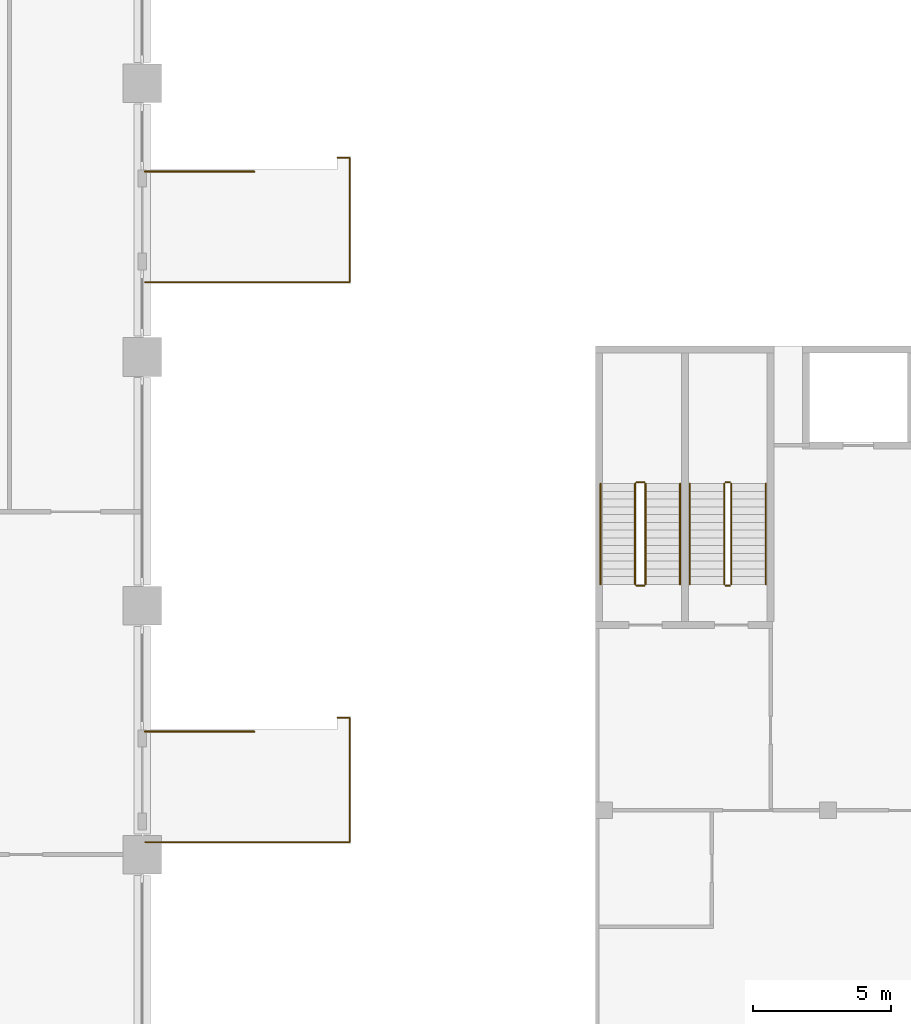
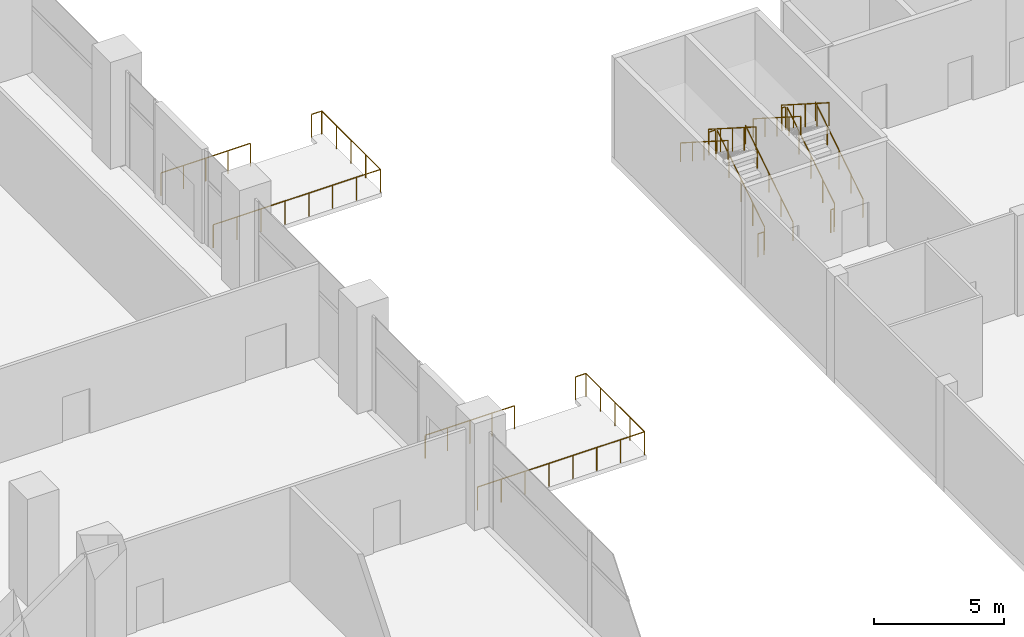
# One storey, part 30 of 33: 16 railings.
"""IFC4 building model written with IfcOpenShell, lengths in metres."""

from ifc_helpers import new_model, si_unit, direction, frame, origin, origin_2d, place, context, subcontext, project, spatial, circle, extrude, material, type_object, element, save


model = new_model("IFC4")

# Units and contexts
model_context = context("Model", 3, precision=1e-05, world=origin(), true_north=direction((0.0, 1.0)))
body_context = subcontext(model_context, "Body", "Model", "MODEL_VIEW")
ifc_project = project(units=[si_unit("LENGTHUNIT", "METRE"), si_unit("AREAUNIT", "SQUARE_METRE"), si_unit("VOLUMEUNIT", "CUBIC_METRE"), si_unit("PLANEANGLEUNIT", "RADIAN"), si_unit("MASSUNIT", "GRAM", prefix="KILO")], contexts=[model_context])

# Site, building, storey
site_placement = place(None, origin())
site = spatial("IfcSite", under=ifc_project, at=site_placement, CompositionType="ELEMENT")
building_placement = place(site_placement, origin())
building = spatial("IfcBuilding", under=site, at=building_placement, Name="Candeia Pilgrim Tower and Theatre", CompositionType="ELEMENT")
storey_placement = place(building_placement, frame((0.0, 0.0, 29.0)))
storey = spatial("IfcBuildingStorey", under=building, at=storey_placement, Name="L04", CompositionType="ELEMENT", Elevation=29.0)

# Railings
ifc_material_1 = material(Name="Steel S355", Category="steel")
railing_type_1 = type_object("IfcRailingType", Name="Guard 1100 steel balustrade", PredefinedType="GUARDRAIL", material=ifc_material_1)
railing_1_placement = place(storey_placement, frame((177.800048828125, 107.77490234375, 0.178466796875)))
element("IfcRailing", 1, at=railing_1_placement, inside=storey, type_object=railing_type_1, Name="L04 TS1 stair guard 1", PredefinedType="GUARDRAIL", context=body_context, shape_type="SweptSolid", body=[
    extrude(circle(Radius=0.02392578125, at=origin_2d()), frame((0.0, 0.0, 1.076171875), z_axis=(0.0, 0.843127859045, 0.537713132908), x_axis=(-1.0, 0.0, 0.0)), (0.0, 0.0, 1.0), 4.3173828125),
    extrude(circle(Radius=0.02099609375, at=origin_2d()), origin(), (0.0, 0.0, 1.0), 1.052001953125),
    extrude(circle(Radius=0.02099609375, at=origin_2d()), frame((0.0, 0.91015625, 0.580322265625)), (0.0, 0.0, 1.0), 1.052001953125),
    extrude(circle(Radius=0.02099609375, at=origin_2d()), frame((0.0, 1.820068359375, 1.16064453125)), (0.0, 0.0, 1.0), 1.052001953125),
    extrude(circle(Radius=0.02099609375, at=origin_2d()), frame((0.0, 2.72998046875, 1.7412109375)), (0.0, 0.0, 1.0), 1.052001953125),
    extrude(circle(Radius=0.02099609375, at=origin_2d()), frame((0.0, 3.64013671875, 2.321533203125)), (0.0, 0.0, 1.0), 1.052001953125),
])
railing_2_placement = place(storey_placement, frame((177.75, 111.465087890625, 2.5)))
element("IfcRailing", 2, at=railing_2_placement, inside=storey, type_object=railing_type_1, Name="L04 TS1 stair guard 2", PredefinedType="GUARDRAIL", context=body_context, shape_type="SweptSolid", body=[
    extrude(circle(Radius=0.02392578125, at=origin_2d()), frame((0.0, 0.0, 1.076171875), z_axis=(-1.0, 0.0, 0.0), x_axis=(0.0, -1.0, 0.0)), (0.0, 0.0, 1.0), 0.27490234375),
    extrude(circle(Radius=0.02099609375, at=origin_2d()), origin(), (0.0, 0.0, 1.0), 1.052001953125),
    extrude(circle(Radius=0.02099609375, at=origin_2d()), frame((-0.27490234375, 0.0, 0.0)), (0.0, 0.0, 1.0), 1.052001953125),
])
railing_3_placement = place(storey_placement, frame((177.425048828125, 111.4150390625, 2.678466796875)))
element("IfcRailing", 3, at=railing_3_placement, inside=storey, type_object=railing_type_1, Name="L04 TS1 stair guard 3", PredefinedType="GUARDRAIL", context=body_context, shape_type="SweptSolid", body=[
    extrude(circle(Radius=0.02392578125, at=origin_2d()), frame((0.0, 0.0, 1.076171875), z_axis=(0.0, -0.843127859045, 0.537713132908), x_axis=(1.0, 0.0, 0.0)), (0.0, 0.0, 1.0), 4.3173828125),
    extrude(circle(Radius=0.02099609375, at=origin_2d()), origin(), (0.0, 0.0, 1.0), 1.052001953125),
    extrude(circle(Radius=0.02099609375, at=origin_2d()), frame((0.0, -0.91015625, 0.580322265625)), (0.0, 0.0, 1.0), 1.052001953125),
    extrude(circle(Radius=0.02099609375, at=origin_2d()), frame((0.0, -1.820068359375, 1.16064453125)), (0.0, 0.0, 1.0), 1.052001953125),
    extrude(circle(Radius=0.02099609375, at=origin_2d()), frame((0.0, -2.72998046875, 1.7412109375)), (0.0, 0.0, 1.0), 1.052001953125),
    extrude(circle(Radius=0.02099609375, at=origin_2d()), frame((0.0, -3.64013671875, 2.321533203125)), (0.0, 0.0, 1.0), 1.052001953125),
])
railing_4_placement = place(storey_placement, frame((177.75, 107.72509765625, 0.0)))
element("IfcRailing", 4, at=railing_4_placement, inside=storey, type_object=railing_type_1, Name="L04 TS1 stair guard 4", PredefinedType="GUARDRAIL", context=body_context, shape_type="SweptSolid", body=[
    extrude(circle(Radius=0.02392578125, at=origin_2d()), frame((0.0, 0.0, 1.076171875), z_axis=(-1.0, 0.0, 0.0), x_axis=(0.0, -1.0, 0.0)), (0.0, 0.0, 1.0), 0.27490234375),
    extrude(circle(Radius=0.02099609375, at=origin_2d()), origin(), (0.0, 0.0, 1.0), 1.052001953125),
    extrude(circle(Radius=0.02099609375, at=origin_2d()), frame((-0.27490234375, 0.0, 0.0)), (0.0, 0.0, 1.0), 1.052001953125),
])
railing_5_placement = place(storey_placement, frame((180.89990234375, 107.77490234375, 0.178466796875)))
element("IfcRailing", 5, at=railing_5_placement, inside=storey, type_object=railing_type_1, Name="L04 TS2 stair guard 1", PredefinedType="GUARDRAIL", context=body_context, shape_type="SweptSolid", body=[
    extrude(circle(Radius=0.02392578125, at=origin_2d()), frame((0.0, 0.0, 1.076171875), z_axis=(0.0, 0.843127859045, 0.537713132908), x_axis=(-1.0, 0.0, 0.0)), (0.0, 0.0, 1.0), 4.3173828125),
    extrude(circle(Radius=0.02099609375, at=origin_2d()), origin(), (0.0, 0.0, 1.0), 1.052001953125),
    extrude(circle(Radius=0.02099609375, at=origin_2d()), frame((0.0, 0.91015625, 0.580322265625)), (0.0, 0.0, 1.0), 1.052001953125),
    extrude(circle(Radius=0.02099609375, at=origin_2d()), frame((0.0, 1.820068359375, 1.16064453125)), (0.0, 0.0, 1.0), 1.052001953125),
    extrude(circle(Radius=0.02099609375, at=origin_2d()), frame((0.0, 2.72998046875, 1.7412109375)), (0.0, 0.0, 1.0), 1.052001953125),
    extrude(circle(Radius=0.02099609375, at=origin_2d()), frame((0.0, 3.64013671875, 2.321533203125)), (0.0, 0.0, 1.0), 1.052001953125),
])
railing_6_placement = place(storey_placement, frame((180.85009765625, 111.465087890625, 2.5)))
element("IfcRailing", 6, at=railing_6_placement, inside=storey, type_object=railing_type_1, Name="L04 TS2 stair guard 2", PredefinedType="GUARDRAIL", context=body_context, shape_type="SweptSolid", body=[
    extrude(circle(Radius=0.02392578125, at=origin_2d()), frame((0.0, 0.0, 1.076171875), z_axis=(-1.0, 0.0, 0.0), x_axis=(0.0, -1.0, 0.0)), (0.0, 0.0, 1.0), 0.150146484375),
    extrude(circle(Radius=0.02099609375, at=origin_2d()), origin(), (0.0, 0.0, 1.0), 1.052001953125),
    extrude(circle(Radius=0.02099609375, at=origin_2d()), frame((-0.150146484375, 0.0, 0.0)), (0.0, 0.0, 1.0), 1.052001953125),
])
railing_7_placement = place(storey_placement, frame((180.64990234375, 111.4150390625, 2.678466796875)))
element("IfcRailing", 7, at=railing_7_placement, inside=storey, type_object=railing_type_1, Name="L04 TS2 stair guard 3", PredefinedType="GUARDRAIL", context=body_context, shape_type="SweptSolid", body=[
    extrude(circle(Radius=0.02392578125, at=origin_2d()), frame((0.0, 0.0, 1.076171875), z_axis=(0.0, -0.843127859045, 0.537713132908), x_axis=(1.0, 0.0, 0.0)), (0.0, 0.0, 1.0), 4.3173828125),
    extrude(circle(Radius=0.02099609375, at=origin_2d()), origin(), (0.0, 0.0, 1.0), 1.052001953125),
    extrude(circle(Radius=0.02099609375, at=origin_2d()), frame((0.0, -0.91015625, 0.580322265625)), (0.0, 0.0, 1.0), 1.052001953125),
    extrude(circle(Radius=0.02099609375, at=origin_2d()), frame((0.0, -1.820068359375, 1.16064453125)), (0.0, 0.0, 1.0), 1.052001953125),
    extrude(circle(Radius=0.02099609375, at=origin_2d()), frame((0.0, -2.72998046875, 1.7412109375)), (0.0, 0.0, 1.0), 1.052001953125),
    extrude(circle(Radius=0.02099609375, at=origin_2d()), frame((0.0, -3.64013671875, 2.321533203125)), (0.0, 0.0, 1.0), 1.052001953125),
])
railing_8_placement = place(storey_placement, frame((180.85009765625, 107.72509765625, 0.0)))
element("IfcRailing", 8, at=railing_8_placement, inside=storey, type_object=railing_type_1, Name="L04 TS2 stair guard 4", PredefinedType="GUARDRAIL", context=body_context, shape_type="SweptSolid", body=[
    extrude(circle(Radius=0.02392578125, at=origin_2d()), frame((0.0, 0.0, 1.076171875), z_axis=(-1.0, 0.0, 0.0), x_axis=(0.0, -1.0, 0.0)), (0.0, 0.0, 1.0), 0.150146484375),
    extrude(circle(Radius=0.02099609375, at=origin_2d()), origin(), (0.0, 0.0, 1.0), 1.052001953125),
    extrude(circle(Radius=0.02099609375, at=origin_2d()), frame((-0.150146484375, 0.0, 0.0)), (0.0, 0.0, 1.0), 1.052001953125),
])
railing_type_2 = type_object("IfcRailingType", Name="Handrail 900 steel", PredefinedType="HANDRAIL", material=ifc_material_1)
railing_9_placement = place(storey_placement, frame((179.050048828125, 107.77490234375, 0.178466796875)))
element("IfcRailing", 9, at=railing_9_placement, inside=storey, type_object=railing_type_2, Name="L04 TS1 stair handrail 1", PredefinedType="HANDRAIL", context=body_context, shape_type="SweptSolid", body=[
    extrude(circle(Radius=0.02392578125, at=origin_2d()), frame((0.0, 0.0, 0.8759765625), z_axis=(0.0, 0.843127859045, 0.537713132908), x_axis=(-1.0, 0.0, 0.0)), (0.0, 0.0, 1.0), 4.3173828125),
    extrude(circle(Radius=0.02099609375, at=origin_2d()), origin(), (0.0, 0.0, 1.0), 0.851806640625),
    extrude(circle(Radius=0.02099609375, at=origin_2d()), frame((0.0, 0.91015625, 0.580322265625)), (0.0, 0.0, 1.0), 0.851806640625),
    extrude(circle(Radius=0.02099609375, at=origin_2d()), frame((0.0, 1.820068359375, 1.16064453125)), (0.0, 0.0, 1.0), 0.851806640625),
    extrude(circle(Radius=0.02099609375, at=origin_2d()), frame((0.0, 2.72998046875, 1.7412109375)), (0.0, 0.0, 1.0), 0.851806640625),
    extrude(circle(Radius=0.02099609375, at=origin_2d()), frame((0.0, 3.64013671875, 2.321533203125)), (0.0, 0.0, 1.0), 0.851806640625),
])
railing_10_placement = place(storey_placement, frame((176.175048828125, 111.4150390625, 2.678466796875)))
element("IfcRailing", 10, at=railing_10_placement, inside=storey, type_object=railing_type_2, Name="L04 TS1 stair handrail 2", PredefinedType="HANDRAIL", context=body_context, shape_type="SweptSolid", body=[
    extrude(circle(Radius=0.02392578125, at=origin_2d()), frame((0.0, 0.0, 0.8759765625), z_axis=(0.0, -0.843127859045, 0.537713132908), x_axis=(1.0, 0.0, 0.0)), (0.0, 0.0, 1.0), 4.3173828125),
    extrude(circle(Radius=0.02099609375, at=origin_2d()), origin(), (0.0, 0.0, 1.0), 0.851806640625),
    extrude(circle(Radius=0.02099609375, at=origin_2d()), frame((0.0, -0.91015625, 0.580322265625)), (0.0, 0.0, 1.0), 0.851806640625),
    extrude(circle(Radius=0.02099609375, at=origin_2d()), frame((0.0, -1.820068359375, 1.16064453125)), (0.0, 0.0, 1.0), 0.851806640625),
    extrude(circle(Radius=0.02099609375, at=origin_2d()), frame((0.0, -2.72998046875, 1.7412109375)), (0.0, 0.0, 1.0), 0.851806640625),
    extrude(circle(Radius=0.02099609375, at=origin_2d()), frame((0.0, -3.64013671875, 2.321533203125)), (0.0, 0.0, 1.0), 0.851806640625),
])
railing_11_placement = place(storey_placement, frame((182.14990234375, 107.77490234375, 0.178466796875)))
element("IfcRailing", 11, at=railing_11_placement, inside=storey, type_object=railing_type_2, Name="L04 TS2 stair handrail 1", PredefinedType="HANDRAIL", context=body_context, shape_type="SweptSolid", body=[
    extrude(circle(Radius=0.02392578125, at=origin_2d()), frame((0.0, 0.0, 0.8759765625), z_axis=(0.0, 0.843127859045, 0.537713132908), x_axis=(-1.0, 0.0, 0.0)), (0.0, 0.0, 1.0), 4.3173828125),
    extrude(circle(Radius=0.02099609375, at=origin_2d()), origin(), (0.0, 0.0, 1.0), 0.851806640625),
    extrude(circle(Radius=0.02099609375, at=origin_2d()), frame((0.0, 0.91015625, 0.580322265625)), (0.0, 0.0, 1.0), 0.851806640625),
    extrude(circle(Radius=0.02099609375, at=origin_2d()), frame((0.0, 1.820068359375, 1.16064453125)), (0.0, 0.0, 1.0), 0.851806640625),
    extrude(circle(Radius=0.02099609375, at=origin_2d()), frame((0.0, 2.72998046875, 1.7412109375)), (0.0, 0.0, 1.0), 0.851806640625),
    extrude(circle(Radius=0.02099609375, at=origin_2d()), frame((0.0, 3.64013671875, 2.321533203125)), (0.0, 0.0, 1.0), 0.851806640625),
])
railing_12_placement = place(storey_placement, frame((179.39990234375, 111.4150390625, 2.678466796875)))
element("IfcRailing", 12, at=railing_12_placement, inside=storey, type_object=railing_type_2, Name="L04 TS2 stair handrail 2", PredefinedType="HANDRAIL", context=body_context, shape_type="SweptSolid", body=[
    extrude(circle(Radius=0.02392578125, at=origin_2d()), frame((0.0, 0.0, 0.8759765625), z_axis=(0.0, -0.843127859045, 0.537713132908), x_axis=(1.0, 0.0, 0.0)), (0.0, 0.0, 1.0), 4.3173828125),
    extrude(circle(Radius=0.02099609375, at=origin_2d()), origin(), (0.0, 0.0, 1.0), 0.851806640625),
    extrude(circle(Radius=0.02099609375, at=origin_2d()), frame((0.0, -0.91015625, 0.580322265625)), (0.0, 0.0, 1.0), 0.851806640625),
    extrude(circle(Radius=0.02099609375, at=origin_2d()), frame((0.0, -1.820068359375, 1.16064453125)), (0.0, 0.0, 1.0), 0.851806640625),
    extrude(circle(Radius=0.02099609375, at=origin_2d()), frame((0.0, -2.72998046875, 1.7412109375)), (0.0, 0.0, 1.0), 0.851806640625),
    extrude(circle(Radius=0.02099609375, at=origin_2d()), frame((0.0, -3.64013671875, 2.321533203125)), (0.0, 0.0, 1.0), 0.851806640625),
])
ifc_material_2 = material(Name="Stainless steel balustrade", Category="steel")
railing_type_3 = type_object("IfcRailingType", Name="RL-GUARD-1100", PredefinedType="GUARDRAIL", material=ifc_material_2)
railing_13_placement = place(storey_placement, frame((159.699951171875, 98.449951171875, 0.0)))
element("IfcRailing", 13, at=railing_13_placement, inside=storey, type_object=railing_type_3, Name="L04 External escape stair ES1 landing guard", PredefinedType="GUARDRAIL", context=body_context, shape_type="SweptSolid", body=[
    extrude(circle(Radius=0.02392578125, at=origin_2d()), frame((0.0, 0.0, 1.076171875), z_axis=(1.0, 0.0, 0.0), x_axis=(0.0, 1.0, 0.0)), (0.0, 0.0, 1.0), 7.400146484375),
    extrude(circle(Radius=0.02392578125, at=origin_2d()), frame((7.400146484375, 0.0, 1.076171875), z_axis=(0.0, 1.0, 0.0), x_axis=(-1.0, 0.0, 0.0)), (0.0, 0.0, 1.0), 4.5),
    extrude(circle(Radius=0.02392578125, at=origin_2d()), frame((7.400146484375, 4.5, 1.076171875), z_axis=(-1.0, 0.0, 0.0), x_axis=(0.0, -1.0, 0.0)), (0.0, 0.0, 1.0), 0.4501953125),
    extrude(circle(Radius=0.02099609375, at=origin_2d()), origin(), (0.0, 0.0, 1.0), 1.052001953125),
    extrude(circle(Radius=0.02099609375, at=origin_2d()), frame((1.05712890625, 0.0, 0.0)), (0.0, 0.0, 1.0), 1.052001953125),
    extrude(circle(Radius=0.02099609375, at=origin_2d()), frame((2.1142578125, 0.0, 0.0)), (0.0, 0.0, 1.0), 1.052001953125),
    extrude(circle(Radius=0.02099609375, at=origin_2d()), frame((3.17138671875, 0.0, 0.0)), (0.0, 0.0, 1.0), 1.052001953125),
    extrude(circle(Radius=0.02099609375, at=origin_2d()), frame((4.228759765625, 0.0, 0.0)), (0.0, 0.0, 1.0), 1.052001953125),
    extrude(circle(Radius=0.02099609375, at=origin_2d()), frame((5.285888671875, 0.0, 0.0)), (0.0, 0.0, 1.0), 1.052001953125),
    extrude(circle(Radius=0.02099609375, at=origin_2d()), frame((6.343017578125, 0.0, 0.0)), (0.0, 0.0, 1.0), 1.052001953125),
    extrude(circle(Radius=0.02099609375, at=origin_2d()), frame((7.400146484375, 0.0, 0.0)), (0.0, 0.0, 1.0), 1.052001953125),
    extrude(circle(Radius=0.02099609375, at=origin_2d()), frame((7.400146484375, 1.125, 0.0)), (0.0, 0.0, 1.0), 1.052001953125),
    extrude(circle(Radius=0.02099609375, at=origin_2d()), frame((7.400146484375, 2.25, 0.0)), (0.0, 0.0, 1.0), 1.052001953125),
    extrude(circle(Radius=0.02099609375, at=origin_2d()), frame((7.400146484375, 3.375, 0.0)), (0.0, 0.0, 1.0), 1.052001953125),
    extrude(circle(Radius=0.02099609375, at=origin_2d()), frame((7.400146484375, 4.5, 0.0)), (0.0, 0.0, 1.0), 1.052001953125),
    extrude(circle(Radius=0.02099609375, at=origin_2d()), frame((6.949951171875, 4.5, 0.0)), (0.0, 0.0, 1.0), 1.052001953125),
])
railing_14_placement = place(storey_placement, frame((159.699951171875, 102.449951171875, 0.0)))
element("IfcRailing", 14, at=railing_14_placement, inside=storey, type_object=railing_type_3, Name="L04 External escape stair ES1 top guard", PredefinedType="GUARDRAIL", context=body_context, shape_type="SweptSolid", body=[
    extrude(circle(Radius=0.02392578125, at=origin_2d()), frame((0.0, 0.0, 1.076171875), z_axis=(1.0, 0.0, 0.0), x_axis=(0.0, 1.0, 0.0)), (0.0, 0.0, 1.0), 3.949951171875),
    extrude(circle(Radius=0.02099609375, at=origin_2d()), origin(), (0.0, 0.0, 1.0), 1.052001953125),
    extrude(circle(Radius=0.02099609375, at=origin_2d()), frame((0.987548828125, 0.0, 0.0)), (0.0, 0.0, 1.0), 1.052001953125),
    extrude(circle(Radius=0.02099609375, at=origin_2d()), frame((1.97509765625, 0.0, 0.0)), (0.0, 0.0, 1.0), 1.052001953125),
    extrude(circle(Radius=0.02099609375, at=origin_2d()), frame((2.96240234375, 0.0, 0.0)), (0.0, 0.0, 1.0), 1.052001953125),
    extrude(circle(Radius=0.02099609375, at=origin_2d()), frame((3.949951171875, 0.0, 0.0)), (0.0, 0.0, 1.0), 1.052001953125),
])
railing_15_placement = place(storey_placement, frame((159.699951171875, 118.699951171875, 0.0)))
element("IfcRailing", 15, at=railing_15_placement, inside=storey, type_object=railing_type_3, Name="L04 External escape stair ES14 landing guard", PredefinedType="GUARDRAIL", context=body_context, shape_type="SweptSolid", body=[
    extrude(circle(Radius=0.02392578125, at=origin_2d()), frame((0.0, 0.0, 1.076171875), z_axis=(1.0, 0.0, 0.0), x_axis=(0.0, 1.0, 0.0)), (0.0, 0.0, 1.0), 7.400146484375),
    extrude(circle(Radius=0.02392578125, at=origin_2d()), frame((7.400146484375, 0.0, 1.076171875), z_axis=(0.0, 1.0, 0.0), x_axis=(-1.0, 0.0, 0.0)), (0.0, 0.0, 1.0), 4.5),
    extrude(circle(Radius=0.02392578125, at=origin_2d()), frame((7.400146484375, 4.5, 1.076171875), z_axis=(-1.0, 0.0, 0.0), x_axis=(0.0, -1.0, 0.0)), (0.0, 0.0, 1.0), 0.4501953125),
    extrude(circle(Radius=0.02099609375, at=origin_2d()), origin(), (0.0, 0.0, 1.0), 1.052001953125),
    extrude(circle(Radius=0.02099609375, at=origin_2d()), frame((1.05712890625, 0.0, 0.0)), (0.0, 0.0, 1.0), 1.052001953125),
    extrude(circle(Radius=0.02099609375, at=origin_2d()), frame((2.1142578125, 0.0, 0.0)), (0.0, 0.0, 1.0), 1.052001953125),
    extrude(circle(Radius=0.02099609375, at=origin_2d()), frame((3.17138671875, 0.0, 0.0)), (0.0, 0.0, 1.0), 1.052001953125),
    extrude(circle(Radius=0.02099609375, at=origin_2d()), frame((4.228759765625, 0.0, 0.0)), (0.0, 0.0, 1.0), 1.052001953125),
    extrude(circle(Radius=0.02099609375, at=origin_2d()), frame((5.285888671875, 0.0, 0.0)), (0.0, 0.0, 1.0), 1.052001953125),
    extrude(circle(Radius=0.02099609375, at=origin_2d()), frame((6.343017578125, 0.0, 0.0)), (0.0, 0.0, 1.0), 1.052001953125),
    extrude(circle(Radius=0.02099609375, at=origin_2d()), frame((7.400146484375, 0.0, 0.0)), (0.0, 0.0, 1.0), 1.052001953125),
    extrude(circle(Radius=0.02099609375, at=origin_2d()), frame((7.400146484375, 1.125, 0.0)), (0.0, 0.0, 1.0), 1.052001953125),
    extrude(circle(Radius=0.02099609375, at=origin_2d()), frame((7.400146484375, 2.25, 0.0)), (0.0, 0.0, 1.0), 1.052001953125),
    extrude(circle(Radius=0.02099609375, at=origin_2d()), frame((7.400146484375, 3.375, 0.0)), (0.0, 0.0, 1.0), 1.052001953125),
    extrude(circle(Radius=0.02099609375, at=origin_2d()), frame((7.400146484375, 4.5, 0.0)), (0.0, 0.0, 1.0), 1.052001953125),
    extrude(circle(Radius=0.02099609375, at=origin_2d()), frame((6.949951171875, 4.5, 0.0)), (0.0, 0.0, 1.0), 1.052001953125),
])
railing_16_placement = place(storey_placement, frame((159.699951171875, 122.699951171875, 0.0)))
element("IfcRailing", 16, at=railing_16_placement, inside=storey, type_object=railing_type_3, Name="L04 External escape stair ES14 top guard", PredefinedType="GUARDRAIL", context=body_context, shape_type="SweptSolid", body=[
    extrude(circle(Radius=0.02392578125, at=origin_2d()), frame((0.0, 0.0, 1.076171875), z_axis=(1.0, 0.0, 0.0), x_axis=(0.0, 1.0, 0.0)), (0.0, 0.0, 1.0), 3.949951171875),
    extrude(circle(Radius=0.02099609375, at=origin_2d()), origin(), (0.0, 0.0, 1.0), 1.052001953125),
    extrude(circle(Radius=0.02099609375, at=origin_2d()), frame((0.987548828125, 0.0, 0.0)), (0.0, 0.0, 1.0), 1.052001953125),
    extrude(circle(Radius=0.02099609375, at=origin_2d()), frame((1.97509765625, 0.0, 0.0)), (0.0, 0.0, 1.0), 1.052001953125),
    extrude(circle(Radius=0.02099609375, at=origin_2d()), frame((2.96240234375, 0.0, 0.0)), (0.0, 0.0, 1.0), 1.052001953125),
    extrude(circle(Radius=0.02099609375, at=origin_2d()), frame((3.949951171875, 0.0, 0.0)), (0.0, 0.0, 1.0), 1.052001953125),
])

save(model, "model.ifc")
